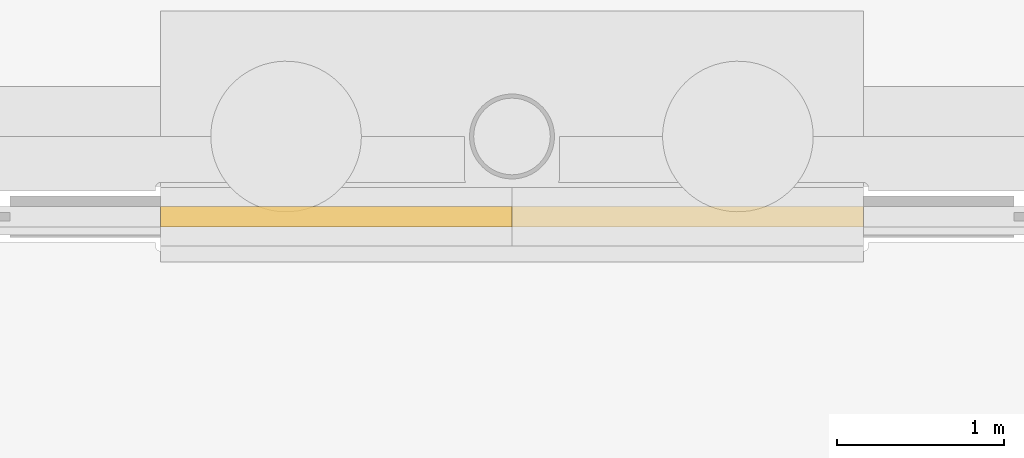
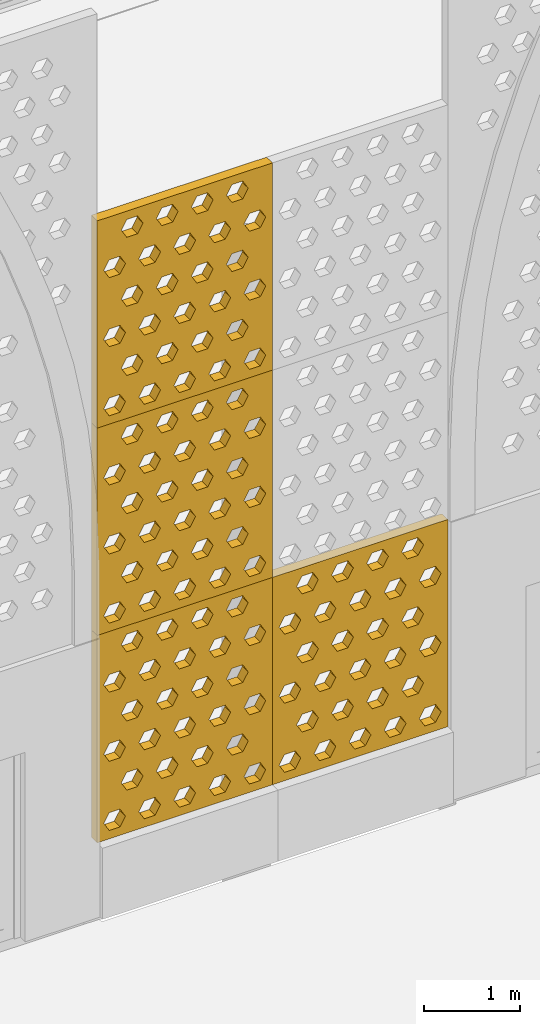
# One storey, part 205 of 250: 4 shading devices.
"""IFC4 building model written with IfcOpenShell, lengths in metres."""

from ifc_helpers import new_model, si_unit, direction, frame, origin, place, context, subcontext, project, spatial, polyline, outline, extrude, material, layer, layer_set, type_object, element, save


model = new_model("IFC4")

# Units and contexts
model_context = context("Model", 3, precision=1e-05, world=origin(), true_north=direction((0.0, 1.0)))
body_context = subcontext(model_context, "Body", "Model", "MODEL_VIEW")
ifc_project = project(units=[si_unit("LENGTHUNIT", "METRE"), si_unit("AREAUNIT", "SQUARE_METRE"), si_unit("VOLUMEUNIT", "CUBIC_METRE"), si_unit("PLANEANGLEUNIT", "RADIAN"), si_unit("MASSUNIT", "GRAM", prefix="KILO")], contexts=[model_context])

# Site, building, storey
site_placement = place(None, origin())
site = spatial("IfcSite", under=ifc_project, at=site_placement, CompositionType="ELEMENT")
building_placement = place(site_placement, origin())
building = spatial("IfcBuilding", under=site, at=building_placement, Name="Baradari Gate Terminus", CompositionType="ELEMENT")
storey_placement = place(building_placement, origin())
storey = spatial("IfcBuildingStorey", under=building, at=storey_placement, Name="L00", CompositionType="ELEMENT", Elevation=0.0)

# Shading devices
ifc_material = material(Name="Concrete C50/60 precast", Category="concrete")
ifc_layer = layer(ifc_material, 0.1201171875)
ifc_layer_set = layer_set([ifc_layer], Name="Concrete C50/60 precast")
shading_device_type = type_object("IfcShadingDeviceType", Name="Jali screen panel JS-2 120", PredefinedType="SHUTTER", material=ifc_layer_set)
shading_device_1_placement = place(storey_placement, frame((213.89990234375, 35.52001953125, 0.89990234375), z_axis=(0.0, 0.0, 1.0), x_axis=(1.0, 0.0, 0.0)))
element("IfcShadingDevice", 1, at=shading_device_1_placement, inside=storey, type_object=shading_device_type, Name="Jali screen panel JS-2 SC06c row 1 panel 1", PredefinedType="SHUTTER", context=body_context, shape_type="SweptSolid", body=[
    extrude(outline(polyline([(0.0, 0.0), (2.10009765625, 0.0), (2.10009765625, 2.625), (0.0, 2.625), (0.0, 0.0)]), holes=[polyline([(0.340087890625, 0.21875), (0.27490234375, 0.106201171875), (0.14501953125, 0.106201171875), (0.080078125, 0.21875), (0.14501953125, 0.33154296875), (0.27490234375, 0.33154296875), (0.340087890625, 0.21875)]), polyline([(0.760009765625, 0.21875), (0.695068359375, 0.106201171875), (0.56494140625, 0.106201171875), (0.5, 0.21875), (0.56494140625, 0.33154296875), (0.695068359375, 0.33154296875), (0.760009765625, 0.21875)]), polyline([(1.179931640625, 0.21875), (1.114990234375, 0.106201171875), (0.985107421875, 0.106201171875), (0.919921875, 0.21875), (0.985107421875, 0.33154296875), (1.114990234375, 0.33154296875), (1.179931640625, 0.21875)]), polyline([(1.60009765625, 0.21875), (1.534912109375, 0.106201171875), (1.405029296875, 0.106201171875), (1.340087890625, 0.21875), (1.405029296875, 0.33154296875), (1.534912109375, 0.33154296875), (1.60009765625, 0.21875)]), polyline([(2.02001953125, 0.21875), (1.955078125, 0.106201171875), (1.824951171875, 0.106201171875), (1.760009765625, 0.21875), (1.824951171875, 0.33154296875), (1.955078125, 0.33154296875), (2.02001953125, 0.21875)]), polyline([(0.550048828125, 0.65625), (0.485107421875, 0.543701171875), (0.35498046875, 0.543701171875), (0.2900390625, 0.65625), (0.35498046875, 0.76904296875), (0.485107421875, 0.76904296875), (0.550048828125, 0.65625)]), polyline([(0.969970703125, 0.65625), (0.905029296875, 0.543701171875), (0.77490234375, 0.543701171875), (0.7099609375, 0.65625), (0.77490234375, 0.76904296875), (0.905029296875, 0.76904296875), (0.969970703125, 0.65625)]), polyline([(1.389892578125, 0.65625), (1.324951171875, 0.543701171875), (1.195068359375, 0.543701171875), (1.1298828125, 0.65625), (1.195068359375, 0.76904296875), (1.324951171875, 0.76904296875), (1.389892578125, 0.65625)]), polyline([(1.81005859375, 0.65625), (1.7451171875, 0.543701171875), (1.614990234375, 0.543701171875), (1.550048828125, 0.65625), (1.614990234375, 0.76904296875), (1.7451171875, 0.76904296875), (1.81005859375, 0.65625)]), polyline([(0.340087890625, 1.09375), (0.27490234375, 0.981201171875), (0.14501953125, 0.981201171875), (0.080078125, 1.09375), (0.14501953125, 1.20654296875), (0.27490234375, 1.20654296875), (0.340087890625, 1.09375)]), polyline([(0.760009765625, 1.09375), (0.695068359375, 0.981201171875), (0.56494140625, 0.981201171875), (0.5, 1.09375), (0.56494140625, 1.20654296875), (0.695068359375, 1.20654296875), (0.760009765625, 1.09375)]), polyline([(1.179931640625, 1.09375), (1.114990234375, 0.981201171875), (0.985107421875, 0.981201171875), (0.919921875, 1.09375), (0.985107421875, 1.20654296875), (1.114990234375, 1.20654296875), (1.179931640625, 1.09375)]), polyline([(1.60009765625, 1.09375), (1.534912109375, 0.981201171875), (1.405029296875, 0.981201171875), (1.340087890625, 1.09375), (1.405029296875, 1.20654296875), (1.534912109375, 1.20654296875), (1.60009765625, 1.09375)]), polyline([(2.02001953125, 1.09375), (1.955078125, 0.981201171875), (1.824951171875, 0.981201171875), (1.760009765625, 1.09375), (1.824951171875, 1.20654296875), (1.955078125, 1.20654296875), (2.02001953125, 1.09375)]), polyline([(0.550048828125, 1.53125), (0.485107421875, 1.418701171875), (0.35498046875, 1.418701171875), (0.2900390625, 1.53125), (0.35498046875, 1.64404296875), (0.485107421875, 1.64404296875), (0.550048828125, 1.53125)]), polyline([(0.969970703125, 1.53125), (0.905029296875, 1.418701171875), (0.77490234375, 1.418701171875), (0.7099609375, 1.53125), (0.77490234375, 1.64404296875), (0.905029296875, 1.64404296875), (0.969970703125, 1.53125)]), polyline([(1.389892578125, 1.53125), (1.324951171875, 1.418701171875), (1.195068359375, 1.418701171875), (1.1298828125, 1.53125), (1.195068359375, 1.64404296875), (1.324951171875, 1.64404296875), (1.389892578125, 1.53125)]), polyline([(1.81005859375, 1.53125), (1.7451171875, 1.418701171875), (1.614990234375, 1.418701171875), (1.550048828125, 1.53125), (1.614990234375, 1.64404296875), (1.7451171875, 1.64404296875), (1.81005859375, 1.53125)]), polyline([(0.340087890625, 1.96875), (0.27490234375, 1.856201171875), (0.14501953125, 1.856201171875), (0.080078125, 1.96875), (0.14501953125, 2.08154296875), (0.27490234375, 2.08154296875), (0.340087890625, 1.96875)]), polyline([(0.760009765625, 1.96875), (0.695068359375, 1.856201171875), (0.56494140625, 1.856201171875), (0.5, 1.96875), (0.56494140625, 2.08154296875), (0.695068359375, 2.08154296875), (0.760009765625, 1.96875)]), polyline([(1.179931640625, 1.96875), (1.114990234375, 1.856201171875), (0.985107421875, 1.856201171875), (0.919921875, 1.96875), (0.985107421875, 2.08154296875), (1.114990234375, 2.08154296875), (1.179931640625, 1.96875)]), polyline([(1.60009765625, 1.96875), (1.534912109375, 1.856201171875), (1.405029296875, 1.856201171875), (1.340087890625, 1.96875), (1.405029296875, 2.08154296875), (1.534912109375, 2.08154296875), (1.60009765625, 1.96875)]), polyline([(2.02001953125, 1.96875), (1.955078125, 1.856201171875), (1.824951171875, 1.856201171875), (1.760009765625, 1.96875), (1.824951171875, 2.08154296875), (1.955078125, 2.08154296875), (2.02001953125, 1.96875)]), polyline([(0.550048828125, 2.40625), (0.485107421875, 2.293701171875), (0.35498046875, 2.293701171875), (0.2900390625, 2.40625), (0.35498046875, 2.51904296875), (0.485107421875, 2.51904296875), (0.550048828125, 2.40625)]), polyline([(0.969970703125, 2.40625), (0.905029296875, 2.293701171875), (0.77490234375, 2.293701171875), (0.7099609375, 2.40625), (0.77490234375, 2.51904296875), (0.905029296875, 2.51904296875), (0.969970703125, 2.40625)]), polyline([(1.389892578125, 2.40625), (1.324951171875, 2.293701171875), (1.195068359375, 2.293701171875), (1.1298828125, 2.40625), (1.195068359375, 2.51904296875), (1.324951171875, 2.51904296875), (1.389892578125, 2.40625)]), polyline([(1.81005859375, 2.40625), (1.7451171875, 2.293701171875), (1.614990234375, 2.293701171875), (1.550048828125, 2.40625), (1.614990234375, 2.51904296875), (1.7451171875, 2.51904296875), (1.81005859375, 2.40625)])]), frame((0.0, 0.06005859375, 0.0), z_axis=(0.0, -1.0, 0.0), x_axis=(1.0, 0.0, 0.0)), (0.0, 0.0, 1.0), 0.1201171875),
])
shading_device_2_placement = place(storey_placement, frame((213.89990234375, 35.52001953125, 3.52490234375), z_axis=(0.0, 0.0, 1.0), x_axis=(1.0, 0.0, 0.0)))
element("IfcShadingDevice", 2, at=shading_device_2_placement, inside=storey, type_object=shading_device_type, Name="Jali screen panel JS-2 SC06c row 2 panel 1", PredefinedType="SHUTTER", context=body_context, shape_type="SweptSolid", body=[
    extrude(outline(polyline([(0.0, 0.0), (2.10009765625, 0.0), (2.10009765625, 2.625), (0.0, 2.625), (0.0, 0.0)]), holes=[polyline([(0.340087890625, 0.21875), (0.27490234375, 0.106201171875), (0.14501953125, 0.106201171875), (0.080078125, 0.21875), (0.14501953125, 0.33154296875), (0.27490234375, 0.33154296875), (0.340087890625, 0.21875)]), polyline([(0.760009765625, 0.21875), (0.695068359375, 0.106201171875), (0.56494140625, 0.106201171875), (0.5, 0.21875), (0.56494140625, 0.33154296875), (0.695068359375, 0.33154296875), (0.760009765625, 0.21875)]), polyline([(1.179931640625, 0.21875), (1.114990234375, 0.106201171875), (0.985107421875, 0.106201171875), (0.919921875, 0.21875), (0.985107421875, 0.33154296875), (1.114990234375, 0.33154296875), (1.179931640625, 0.21875)]), polyline([(1.60009765625, 0.21875), (1.534912109375, 0.106201171875), (1.405029296875, 0.106201171875), (1.340087890625, 0.21875), (1.405029296875, 0.33154296875), (1.534912109375, 0.33154296875), (1.60009765625, 0.21875)]), polyline([(2.02001953125, 0.21875), (1.955078125, 0.106201171875), (1.824951171875, 0.106201171875), (1.760009765625, 0.21875), (1.824951171875, 0.33154296875), (1.955078125, 0.33154296875), (2.02001953125, 0.21875)]), polyline([(0.550048828125, 0.65625), (0.485107421875, 0.543701171875), (0.35498046875, 0.543701171875), (0.2900390625, 0.65625), (0.35498046875, 0.76904296875), (0.485107421875, 0.76904296875), (0.550048828125, 0.65625)]), polyline([(0.969970703125, 0.65625), (0.905029296875, 0.543701171875), (0.77490234375, 0.543701171875), (0.7099609375, 0.65625), (0.77490234375, 0.76904296875), (0.905029296875, 0.76904296875), (0.969970703125, 0.65625)]), polyline([(1.389892578125, 0.65625), (1.324951171875, 0.543701171875), (1.195068359375, 0.543701171875), (1.1298828125, 0.65625), (1.195068359375, 0.76904296875), (1.324951171875, 0.76904296875), (1.389892578125, 0.65625)]), polyline([(1.81005859375, 0.65625), (1.7451171875, 0.543701171875), (1.614990234375, 0.543701171875), (1.550048828125, 0.65625), (1.614990234375, 0.76904296875), (1.7451171875, 0.76904296875), (1.81005859375, 0.65625)]), polyline([(0.340087890625, 1.09375), (0.27490234375, 0.981201171875), (0.14501953125, 0.981201171875), (0.080078125, 1.09375), (0.14501953125, 1.20654296875), (0.27490234375, 1.20654296875), (0.340087890625, 1.09375)]), polyline([(0.760009765625, 1.09375), (0.695068359375, 0.981201171875), (0.56494140625, 0.981201171875), (0.5, 1.09375), (0.56494140625, 1.20654296875), (0.695068359375, 1.20654296875), (0.760009765625, 1.09375)]), polyline([(1.179931640625, 1.09375), (1.114990234375, 0.981201171875), (0.985107421875, 0.981201171875), (0.919921875, 1.09375), (0.985107421875, 1.20654296875), (1.114990234375, 1.20654296875), (1.179931640625, 1.09375)]), polyline([(1.60009765625, 1.09375), (1.534912109375, 0.981201171875), (1.405029296875, 0.981201171875), (1.340087890625, 1.09375), (1.405029296875, 1.20654296875), (1.534912109375, 1.20654296875), (1.60009765625, 1.09375)]), polyline([(2.02001953125, 1.09375), (1.955078125, 0.981201171875), (1.824951171875, 0.981201171875), (1.760009765625, 1.09375), (1.824951171875, 1.20654296875), (1.955078125, 1.20654296875), (2.02001953125, 1.09375)]), polyline([(0.550048828125, 1.53125), (0.485107421875, 1.418701171875), (0.35498046875, 1.418701171875), (0.2900390625, 1.53125), (0.35498046875, 1.64404296875), (0.485107421875, 1.64404296875), (0.550048828125, 1.53125)]), polyline([(0.969970703125, 1.53125), (0.905029296875, 1.418701171875), (0.77490234375, 1.418701171875), (0.7099609375, 1.53125), (0.77490234375, 1.64404296875), (0.905029296875, 1.64404296875), (0.969970703125, 1.53125)]), polyline([(1.389892578125, 1.53125), (1.324951171875, 1.418701171875), (1.195068359375, 1.418701171875), (1.1298828125, 1.53125), (1.195068359375, 1.64404296875), (1.324951171875, 1.64404296875), (1.389892578125, 1.53125)]), polyline([(1.81005859375, 1.53125), (1.7451171875, 1.418701171875), (1.614990234375, 1.418701171875), (1.550048828125, 1.53125), (1.614990234375, 1.64404296875), (1.7451171875, 1.64404296875), (1.81005859375, 1.53125)]), polyline([(0.340087890625, 1.96875), (0.27490234375, 1.856201171875), (0.14501953125, 1.856201171875), (0.080078125, 1.96875), (0.14501953125, 2.08154296875), (0.27490234375, 2.08154296875), (0.340087890625, 1.96875)]), polyline([(0.760009765625, 1.96875), (0.695068359375, 1.856201171875), (0.56494140625, 1.856201171875), (0.5, 1.96875), (0.56494140625, 2.08154296875), (0.695068359375, 2.08154296875), (0.760009765625, 1.96875)]), polyline([(1.179931640625, 1.96875), (1.114990234375, 1.856201171875), (0.985107421875, 1.856201171875), (0.919921875, 1.96875), (0.985107421875, 2.08154296875), (1.114990234375, 2.08154296875), (1.179931640625, 1.96875)]), polyline([(1.60009765625, 1.96875), (1.534912109375, 1.856201171875), (1.405029296875, 1.856201171875), (1.340087890625, 1.96875), (1.405029296875, 2.08154296875), (1.534912109375, 2.08154296875), (1.60009765625, 1.96875)]), polyline([(2.02001953125, 1.96875), (1.955078125, 1.856201171875), (1.824951171875, 1.856201171875), (1.760009765625, 1.96875), (1.824951171875, 2.08154296875), (1.955078125, 2.08154296875), (2.02001953125, 1.96875)]), polyline([(0.550048828125, 2.40625), (0.485107421875, 2.293701171875), (0.35498046875, 2.293701171875), (0.2900390625, 2.40625), (0.35498046875, 2.51904296875), (0.485107421875, 2.51904296875), (0.550048828125, 2.40625)]), polyline([(0.969970703125, 2.40625), (0.905029296875, 2.293701171875), (0.77490234375, 2.293701171875), (0.7099609375, 2.40625), (0.77490234375, 2.51904296875), (0.905029296875, 2.51904296875), (0.969970703125, 2.40625)]), polyline([(1.389892578125, 2.40625), (1.324951171875, 2.293701171875), (1.195068359375, 2.293701171875), (1.1298828125, 2.40625), (1.195068359375, 2.51904296875), (1.324951171875, 2.51904296875), (1.389892578125, 2.40625)]), polyline([(1.81005859375, 2.40625), (1.7451171875, 2.293701171875), (1.614990234375, 2.293701171875), (1.550048828125, 2.40625), (1.614990234375, 2.51904296875), (1.7451171875, 2.51904296875), (1.81005859375, 2.40625)])]), frame((0.0, 0.06005859375, 0.0), z_axis=(0.0, -1.0, 0.0), x_axis=(1.0, 0.0, 0.0)), (0.0, 0.0, 1.0), 0.1201171875),
])
shading_device_3_placement = place(storey_placement, frame((213.89990234375, 35.52001953125, 6.14990234375), z_axis=(0.0, 0.0, 1.0), x_axis=(1.0, 0.0, 0.0)))
element("IfcShadingDevice", 3, at=shading_device_3_placement, inside=storey, type_object=shading_device_type, Name="Jali screen panel JS-2 SC06c row 3 panel 1", PredefinedType="SHUTTER", context=body_context, shape_type="SweptSolid", body=[
    extrude(outline(polyline([(0.0, 0.0), (2.10009765625, 0.0), (2.10009765625, 2.625), (0.0, 2.625), (0.0, 0.0)]), holes=[polyline([(0.340087890625, 0.21875), (0.27490234375, 0.106201171875), (0.14501953125, 0.106201171875), (0.080078125, 0.21875), (0.14501953125, 0.33154296875), (0.27490234375, 0.33154296875), (0.340087890625, 0.21875)]), polyline([(0.760009765625, 0.21875), (0.695068359375, 0.106201171875), (0.56494140625, 0.106201171875), (0.5, 0.21875), (0.56494140625, 0.33154296875), (0.695068359375, 0.33154296875), (0.760009765625, 0.21875)]), polyline([(1.179931640625, 0.21875), (1.114990234375, 0.106201171875), (0.985107421875, 0.106201171875), (0.919921875, 0.21875), (0.985107421875, 0.33154296875), (1.114990234375, 0.33154296875), (1.179931640625, 0.21875)]), polyline([(1.60009765625, 0.21875), (1.534912109375, 0.106201171875), (1.405029296875, 0.106201171875), (1.340087890625, 0.21875), (1.405029296875, 0.33154296875), (1.534912109375, 0.33154296875), (1.60009765625, 0.21875)]), polyline([(2.02001953125, 0.21875), (1.955078125, 0.106201171875), (1.824951171875, 0.106201171875), (1.760009765625, 0.21875), (1.824951171875, 0.33154296875), (1.955078125, 0.33154296875), (2.02001953125, 0.21875)]), polyline([(0.550048828125, 0.65625), (0.485107421875, 0.543701171875), (0.35498046875, 0.543701171875), (0.2900390625, 0.65625), (0.35498046875, 0.76904296875), (0.485107421875, 0.76904296875), (0.550048828125, 0.65625)]), polyline([(0.969970703125, 0.65625), (0.905029296875, 0.543701171875), (0.77490234375, 0.543701171875), (0.7099609375, 0.65625), (0.77490234375, 0.76904296875), (0.905029296875, 0.76904296875), (0.969970703125, 0.65625)]), polyline([(1.389892578125, 0.65625), (1.324951171875, 0.543701171875), (1.195068359375, 0.543701171875), (1.1298828125, 0.65625), (1.195068359375, 0.76904296875), (1.324951171875, 0.76904296875), (1.389892578125, 0.65625)]), polyline([(1.81005859375, 0.65625), (1.7451171875, 0.543701171875), (1.614990234375, 0.543701171875), (1.550048828125, 0.65625), (1.614990234375, 0.76904296875), (1.7451171875, 0.76904296875), (1.81005859375, 0.65625)]), polyline([(0.340087890625, 1.09375), (0.27490234375, 0.981201171875), (0.14501953125, 0.981201171875), (0.080078125, 1.09375), (0.14501953125, 1.20654296875), (0.27490234375, 1.20654296875), (0.340087890625, 1.09375)]), polyline([(0.760009765625, 1.09375), (0.695068359375, 0.981201171875), (0.56494140625, 0.981201171875), (0.5, 1.09375), (0.56494140625, 1.20654296875), (0.695068359375, 1.20654296875), (0.760009765625, 1.09375)]), polyline([(1.179931640625, 1.09375), (1.114990234375, 0.981201171875), (0.985107421875, 0.981201171875), (0.919921875, 1.09375), (0.985107421875, 1.20654296875), (1.114990234375, 1.20654296875), (1.179931640625, 1.09375)]), polyline([(1.60009765625, 1.09375), (1.534912109375, 0.981201171875), (1.405029296875, 0.981201171875), (1.340087890625, 1.09375), (1.405029296875, 1.20654296875), (1.534912109375, 1.20654296875), (1.60009765625, 1.09375)]), polyline([(2.02001953125, 1.09375), (1.955078125, 0.981201171875), (1.824951171875, 0.981201171875), (1.760009765625, 1.09375), (1.824951171875, 1.20654296875), (1.955078125, 1.20654296875), (2.02001953125, 1.09375)]), polyline([(0.550048828125, 1.53125), (0.485107421875, 1.418701171875), (0.35498046875, 1.418701171875), (0.2900390625, 1.53125), (0.35498046875, 1.64404296875), (0.485107421875, 1.64404296875), (0.550048828125, 1.53125)]), polyline([(0.969970703125, 1.53125), (0.905029296875, 1.418701171875), (0.77490234375, 1.418701171875), (0.7099609375, 1.53125), (0.77490234375, 1.64404296875), (0.905029296875, 1.64404296875), (0.969970703125, 1.53125)]), polyline([(1.389892578125, 1.53125), (1.324951171875, 1.418701171875), (1.195068359375, 1.418701171875), (1.1298828125, 1.53125), (1.195068359375, 1.64404296875), (1.324951171875, 1.64404296875), (1.389892578125, 1.53125)]), polyline([(1.81005859375, 1.53125), (1.7451171875, 1.418701171875), (1.614990234375, 1.418701171875), (1.550048828125, 1.53125), (1.614990234375, 1.64404296875), (1.7451171875, 1.64404296875), (1.81005859375, 1.53125)]), polyline([(0.340087890625, 1.96875), (0.27490234375, 1.856201171875), (0.14501953125, 1.856201171875), (0.080078125, 1.96875), (0.14501953125, 2.08154296875), (0.27490234375, 2.08154296875), (0.340087890625, 1.96875)]), polyline([(0.760009765625, 1.96875), (0.695068359375, 1.856201171875), (0.56494140625, 1.856201171875), (0.5, 1.96875), (0.56494140625, 2.08154296875), (0.695068359375, 2.08154296875), (0.760009765625, 1.96875)]), polyline([(1.179931640625, 1.96875), (1.114990234375, 1.856201171875), (0.985107421875, 1.856201171875), (0.919921875, 1.96875), (0.985107421875, 2.08154296875), (1.114990234375, 2.08154296875), (1.179931640625, 1.96875)]), polyline([(1.60009765625, 1.96875), (1.534912109375, 1.856201171875), (1.405029296875, 1.856201171875), (1.340087890625, 1.96875), (1.405029296875, 2.08154296875), (1.534912109375, 2.08154296875), (1.60009765625, 1.96875)]), polyline([(2.02001953125, 1.96875), (1.955078125, 1.856201171875), (1.824951171875, 1.856201171875), (1.760009765625, 1.96875), (1.824951171875, 2.08154296875), (1.955078125, 2.08154296875), (2.02001953125, 1.96875)]), polyline([(0.550048828125, 2.40625), (0.485107421875, 2.293701171875), (0.35498046875, 2.293701171875), (0.2900390625, 2.40625), (0.35498046875, 2.51904296875), (0.485107421875, 2.51904296875), (0.550048828125, 2.40625)]), polyline([(0.969970703125, 2.40625), (0.905029296875, 2.293701171875), (0.77490234375, 2.293701171875), (0.7099609375, 2.40625), (0.77490234375, 2.51904296875), (0.905029296875, 2.51904296875), (0.969970703125, 2.40625)]), polyline([(1.389892578125, 2.40625), (1.324951171875, 2.293701171875), (1.195068359375, 2.293701171875), (1.1298828125, 2.40625), (1.195068359375, 2.51904296875), (1.324951171875, 2.51904296875), (1.389892578125, 2.40625)]), polyline([(1.81005859375, 2.40625), (1.7451171875, 2.293701171875), (1.614990234375, 2.293701171875), (1.550048828125, 2.40625), (1.614990234375, 2.51904296875), (1.7451171875, 2.51904296875), (1.81005859375, 2.40625)])]), frame((0.0, 0.06005859375, 0.0), z_axis=(0.0, -1.0, 0.0), x_axis=(1.0, 0.0, 0.0)), (0.0, 0.0, 1.0), 0.1201171875),
])
shading_device_4_placement = place(storey_placement, frame((216.0, 35.52001953125, 0.89990234375), z_axis=(0.0, 0.0, 1.0), x_axis=(1.0, 0.0, 0.0)))
element("IfcShadingDevice", 4, at=shading_device_4_placement, inside=storey, type_object=shading_device_type, Name="Jali screen panel JS-2 SC07a row 1 panel 1", PredefinedType="SHUTTER", context=body_context, shape_type="SweptSolid", body=[
    extrude(outline(polyline([(0.0, 0.0), (2.10009765625, 0.0), (2.10009765625, 2.625), (0.0, 2.625), (0.0, 0.0)]), holes=[polyline([(0.340087890625, 0.21875), (0.27490234375, 0.106201171875), (0.14501953125, 0.106201171875), (0.080078125, 0.21875), (0.14501953125, 0.33154296875), (0.27490234375, 0.33154296875), (0.340087890625, 0.21875)]), polyline([(0.760009765625, 0.21875), (0.695068359375, 0.106201171875), (0.56494140625, 0.106201171875), (0.5, 0.21875), (0.56494140625, 0.33154296875), (0.695068359375, 0.33154296875), (0.760009765625, 0.21875)]), polyline([(1.179931640625, 0.21875), (1.114990234375, 0.106201171875), (0.985107421875, 0.106201171875), (0.919921875, 0.21875), (0.985107421875, 0.33154296875), (1.114990234375, 0.33154296875), (1.179931640625, 0.21875)]), polyline([(1.60009765625, 0.21875), (1.534912109375, 0.106201171875), (1.405029296875, 0.106201171875), (1.340087890625, 0.21875), (1.405029296875, 0.33154296875), (1.534912109375, 0.33154296875), (1.60009765625, 0.21875)]), polyline([(2.02001953125, 0.21875), (1.955078125, 0.106201171875), (1.824951171875, 0.106201171875), (1.760009765625, 0.21875), (1.824951171875, 0.33154296875), (1.955078125, 0.33154296875), (2.02001953125, 0.21875)]), polyline([(0.550048828125, 0.65625), (0.485107421875, 0.543701171875), (0.35498046875, 0.543701171875), (0.2900390625, 0.65625), (0.35498046875, 0.76904296875), (0.485107421875, 0.76904296875), (0.550048828125, 0.65625)]), polyline([(0.969970703125, 0.65625), (0.905029296875, 0.543701171875), (0.77490234375, 0.543701171875), (0.7099609375, 0.65625), (0.77490234375, 0.76904296875), (0.905029296875, 0.76904296875), (0.969970703125, 0.65625)]), polyline([(1.389892578125, 0.65625), (1.324951171875, 0.543701171875), (1.195068359375, 0.543701171875), (1.1298828125, 0.65625), (1.195068359375, 0.76904296875), (1.324951171875, 0.76904296875), (1.389892578125, 0.65625)]), polyline([(1.81005859375, 0.65625), (1.7451171875, 0.543701171875), (1.614990234375, 0.543701171875), (1.550048828125, 0.65625), (1.614990234375, 0.76904296875), (1.7451171875, 0.76904296875), (1.81005859375, 0.65625)]), polyline([(0.340087890625, 1.09375), (0.27490234375, 0.981201171875), (0.14501953125, 0.981201171875), (0.080078125, 1.09375), (0.14501953125, 1.20654296875), (0.27490234375, 1.20654296875), (0.340087890625, 1.09375)]), polyline([(0.760009765625, 1.09375), (0.695068359375, 0.981201171875), (0.56494140625, 0.981201171875), (0.5, 1.09375), (0.56494140625, 1.20654296875), (0.695068359375, 1.20654296875), (0.760009765625, 1.09375)]), polyline([(1.179931640625, 1.09375), (1.114990234375, 0.981201171875), (0.985107421875, 0.981201171875), (0.919921875, 1.09375), (0.985107421875, 1.20654296875), (1.114990234375, 1.20654296875), (1.179931640625, 1.09375)]), polyline([(1.60009765625, 1.09375), (1.534912109375, 0.981201171875), (1.405029296875, 0.981201171875), (1.340087890625, 1.09375), (1.405029296875, 1.20654296875), (1.534912109375, 1.20654296875), (1.60009765625, 1.09375)]), polyline([(2.02001953125, 1.09375), (1.955078125, 0.981201171875), (1.824951171875, 0.981201171875), (1.760009765625, 1.09375), (1.824951171875, 1.20654296875), (1.955078125, 1.20654296875), (2.02001953125, 1.09375)]), polyline([(0.550048828125, 1.53125), (0.485107421875, 1.418701171875), (0.35498046875, 1.418701171875), (0.2900390625, 1.53125), (0.35498046875, 1.64404296875), (0.485107421875, 1.64404296875), (0.550048828125, 1.53125)]), polyline([(0.969970703125, 1.53125), (0.905029296875, 1.418701171875), (0.77490234375, 1.418701171875), (0.7099609375, 1.53125), (0.77490234375, 1.64404296875), (0.905029296875, 1.64404296875), (0.969970703125, 1.53125)]), polyline([(1.389892578125, 1.53125), (1.324951171875, 1.418701171875), (1.195068359375, 1.418701171875), (1.1298828125, 1.53125), (1.195068359375, 1.64404296875), (1.324951171875, 1.64404296875), (1.389892578125, 1.53125)]), polyline([(1.81005859375, 1.53125), (1.7451171875, 1.418701171875), (1.614990234375, 1.418701171875), (1.550048828125, 1.53125), (1.614990234375, 1.64404296875), (1.7451171875, 1.64404296875), (1.81005859375, 1.53125)]), polyline([(0.340087890625, 1.96875), (0.27490234375, 1.856201171875), (0.14501953125, 1.856201171875), (0.080078125, 1.96875), (0.14501953125, 2.08154296875), (0.27490234375, 2.08154296875), (0.340087890625, 1.96875)]), polyline([(0.760009765625, 1.96875), (0.695068359375, 1.856201171875), (0.56494140625, 1.856201171875), (0.5, 1.96875), (0.56494140625, 2.08154296875), (0.695068359375, 2.08154296875), (0.760009765625, 1.96875)]), polyline([(1.179931640625, 1.96875), (1.114990234375, 1.856201171875), (0.985107421875, 1.856201171875), (0.919921875, 1.96875), (0.985107421875, 2.08154296875), (1.114990234375, 2.08154296875), (1.179931640625, 1.96875)]), polyline([(1.60009765625, 1.96875), (1.534912109375, 1.856201171875), (1.405029296875, 1.856201171875), (1.340087890625, 1.96875), (1.405029296875, 2.08154296875), (1.534912109375, 2.08154296875), (1.60009765625, 1.96875)]), polyline([(2.02001953125, 1.96875), (1.955078125, 1.856201171875), (1.824951171875, 1.856201171875), (1.760009765625, 1.96875), (1.824951171875, 2.08154296875), (1.955078125, 2.08154296875), (2.02001953125, 1.96875)]), polyline([(0.550048828125, 2.40625), (0.485107421875, 2.293701171875), (0.35498046875, 2.293701171875), (0.2900390625, 2.40625), (0.35498046875, 2.51904296875), (0.485107421875, 2.51904296875), (0.550048828125, 2.40625)]), polyline([(0.969970703125, 2.40625), (0.905029296875, 2.293701171875), (0.77490234375, 2.293701171875), (0.7099609375, 2.40625), (0.77490234375, 2.51904296875), (0.905029296875, 2.51904296875), (0.969970703125, 2.40625)]), polyline([(1.389892578125, 2.40625), (1.324951171875, 2.293701171875), (1.195068359375, 2.293701171875), (1.1298828125, 2.40625), (1.195068359375, 2.51904296875), (1.324951171875, 2.51904296875), (1.389892578125, 2.40625)]), polyline([(1.81005859375, 2.40625), (1.7451171875, 2.293701171875), (1.614990234375, 2.293701171875), (1.550048828125, 2.40625), (1.614990234375, 2.51904296875), (1.7451171875, 2.51904296875), (1.81005859375, 2.40625)])]), frame((0.0, 0.06005859375, 0.0), z_axis=(0.0, -1.0, 0.0), x_axis=(1.0, 0.0, 0.0)), (0.0, 0.0, 1.0), 0.1201171875),
])

save(model, "model.ifc")
